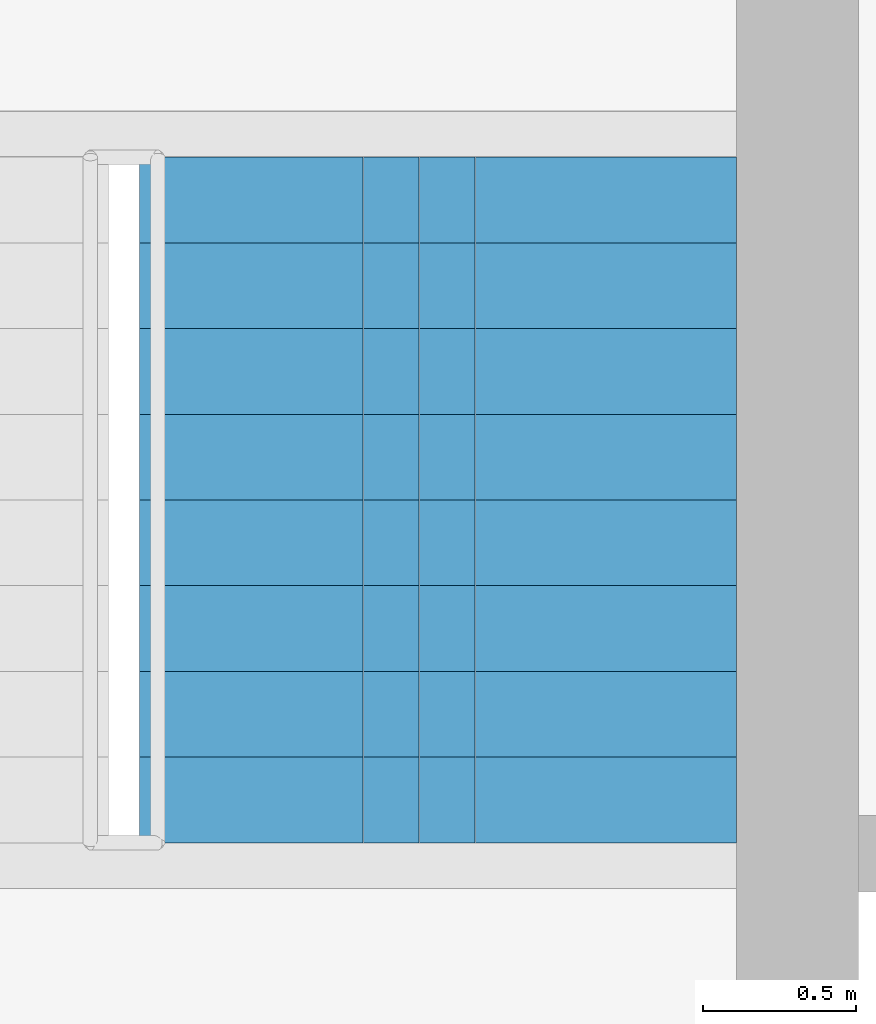
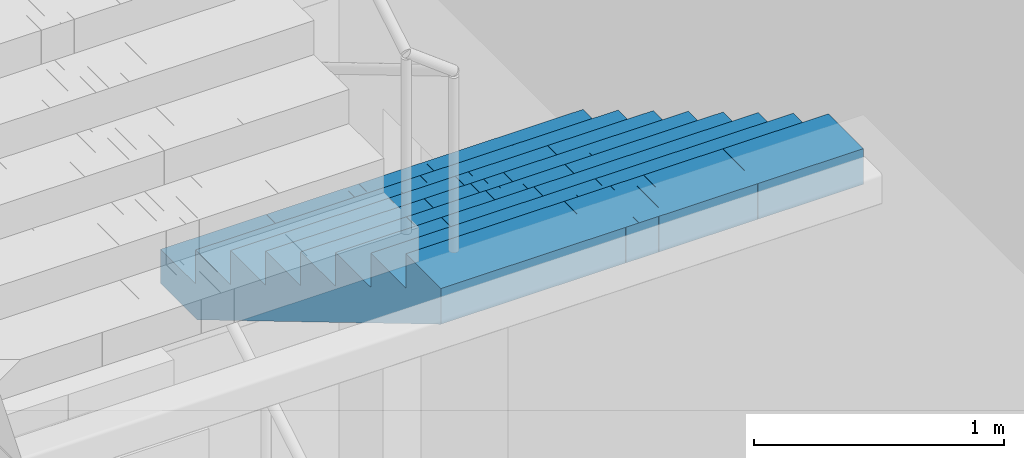
# One storey, part 18 of 19: 1 stair flight, 1 element without a shape of its own.
"""IFC4 building model written with IfcOpenShell, lengths in metres."""

from ifc_helpers import new_model, si_unit, direction, frame, origin, place, context, subcontext, project, spatial, polyline, outline, extrude, material, type_object, element, aggregate, save


model = new_model("IFC4")

# Units and contexts
model_context = context("Model", 3, precision=1e-05, world=origin(), true_north=direction((0.0, 1.0)))
body_context = subcontext(model_context, "Body", "Model", "MODEL_VIEW")
ifc_project = project(units=[si_unit("LENGTHUNIT", "METRE"), si_unit("AREAUNIT", "SQUARE_METRE"), si_unit("VOLUMEUNIT", "CUBIC_METRE"), si_unit("PLANEANGLEUNIT", "RADIAN"), si_unit("MASSUNIT", "GRAM", prefix="KILO")], contexts=[model_context])

# Site, building, storey
site_placement = place(None, origin())
site = spatial("IfcSite", under=ifc_project, at=site_placement, CompositionType="ELEMENT")
building_placement = place(site_placement, origin())
building = spatial("IfcBuilding", under=site, at=building_placement, Name="Mizan Broadcast Tower", CompositionType="ELEMENT")
storey_placement = place(building_placement, frame((0.0, 0.0, 37.5)))
storey = spatial("IfcBuildingStorey", under=building, at=storey_placement, Name="L06", CompositionType="ELEMENT", Elevation=37.5)

# Stair, stair flight
ifc_material_1 = material(Name="Concrete C40/50", Category="concrete")
stair_type = type_object("IfcStairType", Name="EXIT STAIR", PredefinedType="HALF_TURN_STAIR", material=ifc_material_1)
stair_placement = place(storey_placement, origin())
stair = element("IfcStair", 1, at=stair_placement, inside=storey, type_object=stair_type, Name="Stair B L06", PredefinedType="HALF_TURN_STAIR")
ifc_material_2 = material(Name="Concrete C40/50", Category="concrete")
stair_flight_type = type_object("IfcStairFlightType", Name="EXIT STAIR FLIGHT", PredefinedType="STRAIGHT", material=ifc_material_2)
stair_flight_placement = place(storey_placement, frame((1.02490234375, 7.89990234375, 3.0), z_axis=(0.0, 0.0, 1.0), x_axis=(0.0, -1.0, 0.0)))
stair_flight = element("IfcStairFlight", 2, at=stair_flight_placement, type_object=stair_flight_type, Name="B flight 3", NumberOfRisers=9, NumberOfTreads=8, PredefinedType="STRAIGHT", RiserHeight=0.166666667, TreadLength=0.28, context=body_context, shape_type="SweptSolid", body=[
    extrude(outline(polyline([(0.0, 0.0), (0.0, 0.166748046875), (0.280029296875, 0.166748046875), (0.280029296875, 0.333251953125), (0.56005859375, 0.333251953125), (0.56005859375, 0.5), (0.840087890625, 0.5), (0.840087890625, 0.666748046875), (1.1201171875, 0.666748046875), (1.1201171875, 0.833251953125), (1.39990234375, 0.833251953125), (1.39990234375, 1.0), (1.679931640625, 1.0), (1.679931640625, 1.166748046875), (1.9599609375, 1.166748046875), (1.9599609375, 1.333251953125), (2.239990234375, 1.333251953125), (2.239990234375, 1.5), (2.239990234375, 1.158935546875), (0.29296875, 0.0), (0.0, 0.0)])), frame((0.0, 0.97509765625, 0.0), z_axis=(0.0, -1.0, 0.0), x_axis=(1.0, 0.0, 0.0)), (0.0, 0.0, 1.0), 0.4873046875),
    extrude(outline(polyline([(0.0, 0.0), (0.0, 0.166748046875), (0.280029296875, 0.166748046875), (0.280029296875, 0.333251953125), (0.56005859375, 0.333251953125), (0.56005859375, 0.5), (0.840087890625, 0.5), (0.840087890625, 0.666748046875), (1.1201171875, 0.666748046875), (1.1201171875, 0.833251953125), (1.39990234375, 0.833251953125), (1.39990234375, 1.0), (1.679931640625, 1.0), (1.679931640625, 1.166748046875), (1.9599609375, 1.166748046875), (1.9599609375, 1.333251953125), (2.239990234375, 1.333251953125), (2.239990234375, 1.5), (2.239990234375, 1.158935546875), (0.29296875, 0.0), (0.0, 0.0)])), frame((0.0, 0.4873046875, 0.0), z_axis=(0.0, -1.0, 0.0), x_axis=(1.0, 0.0, 0.0)), (0.0, 0.0, 1.0), 0.2431640625),
    extrude(outline(polyline([(0.0, 0.0), (0.0, 0.166748046875), (0.280029296875, 0.166748046875), (0.280029296875, 0.333251953125), (0.56005859375, 0.333251953125), (0.56005859375, 0.5), (0.840087890625, 0.5), (0.840087890625, 0.666748046875), (1.1201171875, 0.666748046875), (1.1201171875, 0.833251953125), (1.39990234375, 0.833251953125), (1.39990234375, 1.0), (1.679931640625, 1.0), (1.679931640625, 1.166748046875), (1.9599609375, 1.166748046875), (1.9599609375, 1.333251953125), (2.239990234375, 1.333251953125), (2.239990234375, 1.5), (2.239990234375, 1.158935546875), (0.29296875, 0.0), (0.0, 0.0)])), frame((0.0, 0.24365234375, 0.0), z_axis=(0.0, -1.0, 0.0), x_axis=(1.0, 0.0, 0.0)), (0.0, 0.0, 1.0), 0.121337890625),
    extrude(outline(polyline([(0.0, 0.0), (0.0, 0.166748046875), (0.280029296875, 0.166748046875), (0.280029296875, 0.333251953125), (0.56005859375, 0.333251953125), (0.56005859375, 0.5), (0.840087890625, 0.5), (0.840087890625, 0.666748046875), (1.1201171875, 0.666748046875), (1.1201171875, 0.833251953125), (1.39990234375, 0.833251953125), (1.39990234375, 1.0), (1.679931640625, 1.0), (1.679931640625, 1.166748046875), (1.9599609375, 1.166748046875), (1.9599609375, 1.333251953125), (2.239990234375, 1.333251953125), (2.239990234375, 1.5), (2.239990234375, 1.158935546875), (0.29296875, 0.0), (0.0, 0.0)])), frame((0.0, 0.121826171875, 0.0), z_axis=(0.0, -1.0, 0.0), x_axis=(1.0, 0.0, 0.0)), (0.0, 0.0, 1.0), 0.060546875),
    extrude(outline(polyline([(0.0, 0.0), (0.0, 0.166748046875), (0.280029296875, 0.166748046875), (0.280029296875, 0.333251953125), (0.56005859375, 0.333251953125), (0.56005859375, 0.5), (0.840087890625, 0.5), (0.840087890625, 0.666748046875), (1.1201171875, 0.666748046875), (1.1201171875, 0.833251953125), (1.39990234375, 0.833251953125), (1.39990234375, 1.0), (1.679931640625, 1.0), (1.679931640625, 1.166748046875), (1.9599609375, 1.166748046875), (1.9599609375, 1.333251953125), (2.239990234375, 1.333251953125), (2.239990234375, 1.5), (2.239990234375, 1.158935546875), (0.29296875, 0.0), (0.0, 0.0)])), frame((0.0, 0.060791015625, 0.0), z_axis=(0.0, -1.0, 0.0), x_axis=(1.0, 0.0, 0.0)), (0.0, 0.0, 1.0), 0.030029296875),
    extrude(outline(polyline([(0.0, 0.0), (0.0, 0.166748046875), (0.280029296875, 0.166748046875), (0.280029296875, 0.333251953125), (0.56005859375, 0.333251953125), (0.56005859375, 0.5), (0.840087890625, 0.5), (0.840087890625, 0.666748046875), (1.1201171875, 0.666748046875), (1.1201171875, 0.833251953125), (1.39990234375, 0.833251953125), (1.39990234375, 1.0), (1.679931640625, 1.0), (1.679931640625, 1.166748046875), (1.9599609375, 1.166748046875), (1.9599609375, 1.333251953125), (2.239990234375, 1.333251953125), (2.239990234375, 1.5), (2.239990234375, 1.158935546875), (0.29296875, 0.0), (0.0, 0.0)])), frame((0.0, 0.0302734375, 0.0), z_axis=(0.0, -1.0, 0.0), x_axis=(1.0, 0.0, 0.0)), (0.0, 0.0, 1.0), 0.060302734375),
    extrude(outline(polyline([(0.0, 0.0), (0.0, 0.166748046875), (0.280029296875, 0.166748046875), (0.280029296875, 0.333251953125), (0.56005859375, 0.333251953125), (0.56005859375, 0.5), (0.840087890625, 0.5), (0.840087890625, 0.666748046875), (1.1201171875, 0.666748046875), (1.1201171875, 0.833251953125), (1.39990234375, 0.833251953125), (1.39990234375, 1.0), (1.679931640625, 1.0), (1.679931640625, 1.166748046875), (1.9599609375, 1.166748046875), (1.9599609375, 1.333251953125), (2.239990234375, 1.333251953125), (2.239990234375, 1.5), (2.239990234375, 1.158935546875), (0.29296875, 0.0), (0.0, 0.0)])), frame((0.0, -0.030517578125, 0.0), z_axis=(0.0, -1.0, 0.0), x_axis=(1.0, 0.0, 0.0)), (0.0, 0.0, 1.0), 0.030029296875),
    extrude(outline(polyline([(0.0, 0.0), (0.0, 0.166748046875), (0.280029296875, 0.166748046875), (0.280029296875, 0.333251953125), (0.56005859375, 0.333251953125), (0.56005859375, 0.5), (0.840087890625, 0.5), (0.840087890625, 0.666748046875), (1.1201171875, 0.666748046875), (1.1201171875, 0.833251953125), (1.39990234375, 0.833251953125), (1.39990234375, 1.0), (1.679931640625, 1.0), (1.679931640625, 1.166748046875), (1.9599609375, 1.166748046875), (1.9599609375, 1.333251953125), (2.239990234375, 1.333251953125), (2.239990234375, 1.5), (2.239990234375, 1.158935546875), (0.29296875, 0.0), (0.0, 0.0)])), frame((0.0, -0.06103515625, 0.0), z_axis=(0.0, -1.0, 0.0), x_axis=(1.0, 0.0, 0.0)), (0.0, 0.0, 1.0), 0.060546875),
    extrude(outline(polyline([(0.0, 0.0), (0.0, 0.166748046875), (0.280029296875, 0.166748046875), (0.280029296875, 0.333251953125), (0.56005859375, 0.333251953125), (0.56005859375, 0.5), (0.840087890625, 0.5), (0.840087890625, 0.666748046875), (1.1201171875, 0.666748046875), (1.1201171875, 0.833251953125), (1.39990234375, 0.833251953125), (1.39990234375, 1.0), (1.679931640625, 1.0), (1.679931640625, 1.166748046875), (1.9599609375, 1.166748046875), (1.9599609375, 1.333251953125), (2.239990234375, 1.333251953125), (2.239990234375, 1.5), (2.239990234375, 1.158935546875), (0.29296875, 0.0), (0.0, 0.0)])), frame((0.0, -0.1220703125, 0.0), z_axis=(0.0, -1.0, 0.0), x_axis=(1.0, 0.0, 0.0)), (0.0, 0.0, 1.0), 0.121337890625),
    extrude(outline(polyline([(0.0, 0.0), (0.0, 0.166748046875), (0.280029296875, 0.166748046875), (0.280029296875, 0.333251953125), (0.56005859375, 0.333251953125), (0.56005859375, 0.5), (0.840087890625, 0.5), (0.840087890625, 0.666748046875), (1.1201171875, 0.666748046875), (1.1201171875, 0.833251953125), (1.39990234375, 0.833251953125), (1.39990234375, 1.0), (1.679931640625, 1.0), (1.679931640625, 1.166748046875), (1.9599609375, 1.166748046875), (1.9599609375, 1.333251953125), (2.239990234375, 1.333251953125), (2.239990234375, 1.5), (2.239990234375, 1.158935546875), (0.29296875, 0.0), (0.0, 0.0)])), frame((0.0, -0.243896484375, 0.0), z_axis=(0.0, -1.0, 0.0), x_axis=(1.0, 0.0, 0.0)), (0.0, 0.0, 1.0), 0.2431640625),
    extrude(outline(polyline([(0.0, 0.0), (0.0, 0.166748046875), (0.280029296875, 0.166748046875), (0.280029296875, 0.333251953125), (0.56005859375, 0.333251953125), (0.56005859375, 0.5), (0.840087890625, 0.5), (0.840087890625, 0.666748046875), (1.1201171875, 0.666748046875), (1.1201171875, 0.833251953125), (1.39990234375, 0.833251953125), (1.39990234375, 1.0), (1.679931640625, 1.0), (1.679931640625, 1.166748046875), (1.9599609375, 1.166748046875), (1.9599609375, 1.333251953125), (2.239990234375, 1.333251953125), (2.239990234375, 1.5), (2.239990234375, 1.158935546875), (0.29296875, 0.0), (0.0, 0.0)])), frame((0.0, -0.487548828125, 0.0), z_axis=(0.0, -1.0, 0.0), x_axis=(1.0, 0.0, 0.0)), (0.0, 0.0, 1.0), 0.4873046875),
])
aggregate(stair, [stair_flight])

save(model, "model.ifc")
